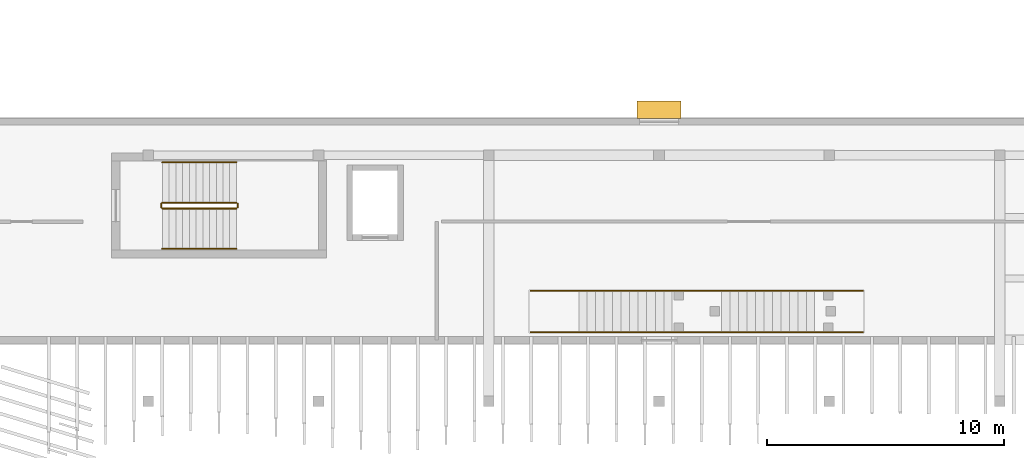
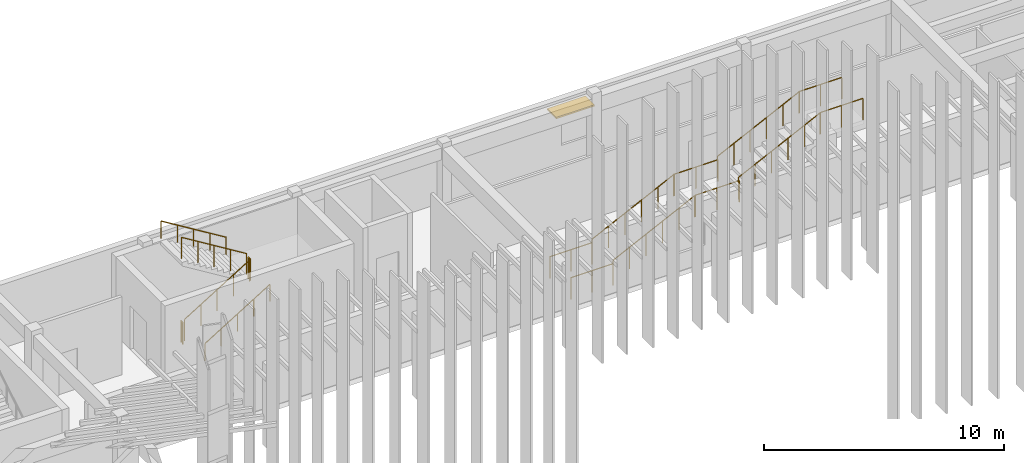
# One storey, part 43 of 47: 16 railings, 1 shading device.
"""IFC4 building model written with IfcOpenShell, lengths in metres."""

from ifc_helpers import new_model, si_unit, direction, frame, origin, origin_2d, place, context, subcontext, project, spatial, rectangle, circle, extrude, material, layer, layer_set, type_object, element, save


model = new_model("IFC4")

# Units and contexts
model_context = context("Model", 3, precision=1e-05, world=origin(), true_north=direction((0.0, 1.0)))
body_context = subcontext(model_context, "Body", "Model", "MODEL_VIEW")
ifc_project = project(units=[si_unit("LENGTHUNIT", "METRE"), si_unit("AREAUNIT", "SQUARE_METRE"), si_unit("VOLUMEUNIT", "CUBIC_METRE"), si_unit("PLANEANGLEUNIT", "RADIAN"), si_unit("MASSUNIT", "GRAM", prefix="KILO")], contexts=[model_context])

# Site, building, storey
site_placement = place(None, origin())
site = spatial("IfcSite", under=ifc_project, at=site_placement, CompositionType="ELEMENT")
building_placement = place(site_placement, origin())
building = spatial("IfcBuilding", under=site, at=building_placement, Name="Brisavento Harbour Community Centre", CompositionType="ELEMENT")
storey_placement = place(building_placement, frame((0.0, 0.0, 8.699951171875)))
storey = spatial("IfcBuildingStorey", under=building, at=storey_placement, Name="L02", CompositionType="ELEMENT", Elevation=8.699951171875)

# Railings
ifc_material_1 = material(Name="Stainless steel 1.4401", Category="steel")
railing_type_1 = type_object("IfcRailingType", Name="RL-ST-GUARD", PredefinedType="GUARDRAIL", material=ifc_material_1)
railing_1_placement = place(storey_placement, frame((58.199951171875, 22.550048828125, 0.175048828125)))
element("IfcRailing", 1, at=railing_1_placement, inside=storey, type_object=railing_type_1, Name="L02 ST-03 stair guard 1", PredefinedType="GUARDRAIL", context=body_context, shape_type="SweptSolid", body=[
    extrude(circle(Radius=0.02392578125, at=origin_2d()), frame((0.0, 0.0, 1.076171875), z_axis=(0.852166034122, 0.0, 0.523271488128), x_axis=(0.0, 1.0, 0.0)), (0.0, 0.0, 1.0), 3.678955078125),
    extrude(circle(Radius=0.02099609375, at=origin_2d()), origin(), (0.0, 0.0, 1.0), 1.052001953125),
    extrude(circle(Radius=0.02099609375, at=origin_2d()), frame((0.78369140625, 0.0, 0.481201171875)), (0.0, 0.0, 1.0), 1.052001953125),
    extrude(circle(Radius=0.02099609375, at=origin_2d()), frame((1.5673828125, 0.0, 0.96240234375)), (0.0, 0.0, 1.0), 1.052001953125),
    extrude(circle(Radius=0.02099609375, at=origin_2d()), frame((2.351318359375, 0.0, 1.44384765625)), (0.0, 0.0, 1.0), 1.052001953125),
    extrude(circle(Radius=0.02099609375, at=origin_2d()), frame((3.135009765625, 0.0, 1.925048828125)), (0.0, 0.0, 1.0), 1.052001953125),
])
railing_2_placement = place(storey_placement, frame((61.385009765625, 22.60009765625, 2.10009765625)))
element("IfcRailing", 2, at=railing_2_placement, inside=storey, type_object=railing_type_1, Name="L02 ST-03 stair guard 2", PredefinedType="GUARDRAIL", context=body_context, shape_type="SweptSolid", body=[
    extrude(circle(Radius=0.02392578125, at=origin_2d()), frame((0.0, 0.0, 1.076171875), z_axis=(0.0, 1.0, 0.0), x_axis=(-1.0, 0.0, 0.0)), (0.0, 0.0, 1.0), 0.14990234375),
    extrude(circle(Radius=0.02099609375, at=origin_2d()), origin(), (0.0, 0.0, 1.0), 1.052001953125),
    extrude(circle(Radius=0.02099609375, at=origin_2d()), frame((0.0, 0.14990234375, 0.0)), (0.0, 0.0, 1.0), 1.052001953125),
])
railing_3_placement = place(storey_placement, frame((61.3349609375, 22.800048828125, 2.275146484375)))
element("IfcRailing", 3, at=railing_3_placement, inside=storey, type_object=railing_type_1, Name="L02 ST-03 stair guard 3", PredefinedType="GUARDRAIL", context=body_context, shape_type="SweptSolid", body=[
    extrude(circle(Radius=0.02392578125, at=origin_2d()), frame((0.0, 0.0, 1.076171875), z_axis=(-0.852195625947, 0.0, 0.523223293744), x_axis=(0.0, -1.0, 0.0)), (0.0, 0.0, 1.0), 3.6787109375),
    extrude(circle(Radius=0.02099609375, at=origin_2d()), origin(), (0.0, 0.0, 1.0), 1.052001953125),
    extrude(circle(Radius=0.02099609375, at=origin_2d()), frame((-0.78369140625, 0.0, 0.481201171875)), (0.0, 0.0, 1.0), 1.052001953125),
    extrude(circle(Radius=0.02099609375, at=origin_2d()), frame((-1.5673828125, 0.0, 0.96240234375)), (0.0, 0.0, 1.0), 1.052001953125),
    extrude(circle(Radius=0.02099609375, at=origin_2d()), frame((-2.351318359375, 0.0, 1.443603515625)), (0.0, 0.0, 1.0), 1.052001953125),
    extrude(circle(Radius=0.02099609375, at=origin_2d()), frame((-3.135009765625, 0.0, 1.9248046875)), (0.0, 0.0, 1.0), 1.052001953125),
])
railing_4_placement = place(storey_placement, frame((58.14990234375, 22.60009765625, 0.0)))
element("IfcRailing", 4, at=railing_4_placement, inside=storey, type_object=railing_type_1, Name="L02 ST-03 stair guard 4", PredefinedType="GUARDRAIL", context=body_context, shape_type="SweptSolid", body=[
    extrude(circle(Radius=0.02392578125, at=origin_2d()), frame((0.0, 0.0, 1.076171875), z_axis=(0.0, 1.0, 0.0), x_axis=(-1.0, 0.0, 0.0)), (0.0, 0.0, 1.0), 0.14990234375),
    extrude(circle(Radius=0.02099609375, at=origin_2d()), origin(), (0.0, 0.0, 1.0), 1.052001953125),
    extrude(circle(Radius=0.02099609375, at=origin_2d()), frame((0.0, 0.14990234375, 0.0)), (0.0, 0.0, 1.0), 1.052001953125),
])
railing_5_placement = place(storey_placement, frame((73.77001953125, 17.320068359375, 0.0)))
element("IfcRailing", 5, at=railing_5_placement, inside=storey, type_object=railing_type_1, Name="L02 MST-08 L L1 stair guard", PredefinedType="GUARDRAIL", context=body_context, shape_type="SweptSolid", body=[
    extrude(circle(Radius=0.02392578125, at=origin_2d()), frame((0.0, 0.0, 1.09619140625), z_axis=(1.0, 0.0, 0.0), x_axis=(0.0, 1.0, 0.0)), (0.0, 0.0, 1.0), 2.030029296875),
    extrude(circle(Radius=0.02099609375, at=origin_2d()), origin(), (0.0, 0.0, 1.0), 1.072021484375),
    extrude(circle(Radius=0.02099609375, at=origin_2d()), frame((1.01513671875, 0.0, 0.0)), (0.0, 0.0, 1.0), 1.072021484375),
    extrude(circle(Radius=0.02099609375, at=origin_2d()), frame((2.030029296875, 0.0, 0.0)), (0.0, 0.0, 1.0), 1.072021484375),
])
railing_6_placement = place(storey_placement, frame((75.800048828125, 17.320068359375, 0.175048828125)))
element("IfcRailing", 6, at=railing_6_placement, inside=storey, type_object=railing_type_1, Name="L02 MST-08 L F1 stair guard", PredefinedType="GUARDRAIL", context=body_context, shape_type="SweptSolid", body=[
    extrude(circle(Radius=0.02392578125, at=origin_2d()), frame((0.0, 0.0, 1.09619140625), z_axis=(0.899361797975, 0.0, 0.437205165045), x_axis=(0.0, 1.0, 0.0)), (0.0, 0.0, 1.0), 4.403076171875),
    extrude(circle(Radius=0.02099609375, at=origin_2d()), origin(), (0.0, 0.0, 1.0), 1.072021484375),
    extrude(circle(Radius=0.02099609375, at=origin_2d()), frame((0.7919921875, 0.0, 0.385009765625)), (0.0, 0.0, 1.0), 1.072021484375),
    extrude(circle(Radius=0.02099609375, at=origin_2d()), frame((1.583984375, 0.0, 0.77001953125)), (0.0, 0.0, 1.0), 1.072021484375),
    extrude(circle(Radius=0.02099609375, at=origin_2d()), frame((2.3759765625, 0.0, 1.155029296875)), (0.0, 0.0, 1.0), 1.072021484375),
    extrude(circle(Radius=0.02099609375, at=origin_2d()), frame((3.16796875, 0.0, 1.5400390625)), (0.0, 0.0, 1.0), 1.072021484375),
    extrude(circle(Radius=0.02099609375, at=origin_2d()), frame((3.9599609375, 0.0, 1.925048828125)), (0.0, 0.0, 1.0), 1.072021484375),
])
railing_7_placement = place(storey_placement, frame((79.719970703125, 17.320068359375, 2.10009765625)))
element("IfcRailing", 7, at=railing_7_placement, inside=storey, type_object=railing_type_1, Name="L02 MST-08 L L2 stair guard", PredefinedType="GUARDRAIL", context=body_context, shape_type="SweptSolid", body=[
    extrude(circle(Radius=0.02392578125, at=origin_2d()), frame((0.0, 0.0, 1.09619140625), z_axis=(1.0, 0.0, 0.0), x_axis=(0.0, 1.0, 0.0)), (0.0, 0.0, 1.0), 2.150146484375),
    extrude(circle(Radius=0.02099609375, at=origin_2d()), origin(), (0.0, 0.0, 1.0), 1.072021484375),
    extrude(circle(Radius=0.02099609375, at=origin_2d()), frame((1.0751953125, 0.0, 0.0)), (0.0, 0.0, 1.0), 1.072021484375),
    extrude(circle(Radius=0.02099609375, at=origin_2d()), frame((2.150146484375, 0.0, 0.0)), (0.0, 0.0, 1.0), 1.072021484375),
])
railing_8_placement = place(storey_placement, frame((81.830078125, 17.320068359375, 2.275146484375)))
element("IfcRailing", 8, at=railing_8_placement, inside=storey, type_object=railing_type_1, Name="L02 MST-08 L F2 stair guard", PredefinedType="GUARDRAIL", context=body_context, shape_type="SweptSolid", body=[
    extrude(circle(Radius=0.02392578125, at=origin_2d()), frame((0.0, 0.0, 1.09619140625), z_axis=(0.899383599736, 0.0, 0.437160314446), x_axis=(0.0, 1.0, 0.0)), (0.0, 0.0, 1.0), 4.403076171875),
    extrude(circle(Radius=0.02099609375, at=origin_2d()), origin(), (0.0, 0.0, 1.0), 1.072021484375),
    extrude(circle(Radius=0.02099609375, at=origin_2d()), frame((0.7919921875, 0.0, 0.385009765625)), (0.0, 0.0, 1.0), 1.072021484375),
    extrude(circle(Radius=0.02099609375, at=origin_2d()), frame((1.583984375, 0.0, 0.77001953125)), (0.0, 0.0, 1.0), 1.072021484375),
    extrude(circle(Radius=0.02099609375, at=origin_2d()), frame((2.3759765625, 0.0, 1.15478515625)), (0.0, 0.0, 1.0), 1.072021484375),
    extrude(circle(Radius=0.02099609375, at=origin_2d()), frame((3.16796875, 0.0, 1.539794921875)), (0.0, 0.0, 1.0), 1.072021484375),
    extrude(circle(Radius=0.02099609375, at=origin_2d()), frame((3.9599609375, 0.0, 1.9248046875)), (0.0, 0.0, 1.0), 1.072021484375),
])
railing_9_placement = place(storey_placement, frame((85.75, 17.320068359375, 4.199951171875)))
element("IfcRailing", 9, at=railing_9_placement, inside=storey, type_object=railing_type_1, Name="L02 MST-08 L L3 stair guard", PredefinedType="GUARDRAIL", context=body_context, shape_type="SweptSolid", body=[
    extrude(circle(Radius=0.02392578125, at=origin_2d()), frame((0.0, 0.0, 1.09619140625), z_axis=(1.0, 0.0, 0.0), x_axis=(0.0, 1.0, 0.0)), (0.0, 0.0, 1.0), 2.070068359375),
    extrude(circle(Radius=0.02099609375, at=origin_2d()), origin(), (0.0, 0.0, 1.0), 1.072021484375),
    extrude(circle(Radius=0.02099609375, at=origin_2d()), frame((1.03515625, 0.0, 0.0)), (0.0, 0.0, 1.0), 1.072021484375),
    extrude(circle(Radius=0.02099609375, at=origin_2d()), frame((2.070068359375, 0.0, 0.0)), (0.0, 0.0, 1.0), 1.072021484375),
])
railing_10_placement = place(storey_placement, frame((73.77001953125, 19.080078125, 0.0)))
element("IfcRailing", 10, at=railing_10_placement, inside=storey, type_object=railing_type_1, Name="L02 MST-08 R L1 stair guard", PredefinedType="GUARDRAIL", context=body_context, shape_type="SweptSolid", body=[
    extrude(circle(Radius=0.02392578125, at=origin_2d()), frame((0.0, 0.0, 1.09619140625), z_axis=(1.0, 0.0, 0.0), x_axis=(0.0, 1.0, 0.0)), (0.0, 0.0, 1.0), 2.030029296875),
    extrude(circle(Radius=0.02099609375, at=origin_2d()), origin(), (0.0, 0.0, 1.0), 1.072021484375),
    extrude(circle(Radius=0.02099609375, at=origin_2d()), frame((1.01513671875, 0.0, 0.0)), (0.0, 0.0, 1.0), 1.072021484375),
    extrude(circle(Radius=0.02099609375, at=origin_2d()), frame((2.030029296875, 0.0, 0.0)), (0.0, 0.0, 1.0), 1.072021484375),
])
railing_11_placement = place(storey_placement, frame((75.800048828125, 19.080078125, 0.175048828125)))
element("IfcRailing", 11, at=railing_11_placement, inside=storey, type_object=railing_type_1, Name="L02 MST-08 R F1 stair guard", PredefinedType="GUARDRAIL", context=body_context, shape_type="SweptSolid", body=[
    extrude(circle(Radius=0.02392578125, at=origin_2d()), frame((0.0, 0.0, 1.09619140625), z_axis=(0.899361797975, 0.0, 0.437205165045), x_axis=(0.0, 1.0, 0.0)), (0.0, 0.0, 1.0), 4.403076171875),
    extrude(circle(Radius=0.02099609375, at=origin_2d()), origin(), (0.0, 0.0, 1.0), 1.072021484375),
    extrude(circle(Radius=0.02099609375, at=origin_2d()), frame((0.7919921875, 0.0, 0.385009765625)), (0.0, 0.0, 1.0), 1.072021484375),
    extrude(circle(Radius=0.02099609375, at=origin_2d()), frame((1.583984375, 0.0, 0.77001953125)), (0.0, 0.0, 1.0), 1.072021484375),
    extrude(circle(Radius=0.02099609375, at=origin_2d()), frame((2.3759765625, 0.0, 1.155029296875)), (0.0, 0.0, 1.0), 1.072021484375),
    extrude(circle(Radius=0.02099609375, at=origin_2d()), frame((3.16796875, 0.0, 1.5400390625)), (0.0, 0.0, 1.0), 1.072021484375),
    extrude(circle(Radius=0.02099609375, at=origin_2d()), frame((3.9599609375, 0.0, 1.925048828125)), (0.0, 0.0, 1.0), 1.072021484375),
])
railing_12_placement = place(storey_placement, frame((79.719970703125, 19.080078125, 2.10009765625)))
element("IfcRailing", 12, at=railing_12_placement, inside=storey, type_object=railing_type_1, Name="L02 MST-08 R L2 stair guard", PredefinedType="GUARDRAIL", context=body_context, shape_type="SweptSolid", body=[
    extrude(circle(Radius=0.02392578125, at=origin_2d()), frame((0.0, 0.0, 1.09619140625), z_axis=(1.0, 0.0, 0.0), x_axis=(0.0, 1.0, 0.0)), (0.0, 0.0, 1.0), 2.150146484375),
    extrude(circle(Radius=0.02099609375, at=origin_2d()), origin(), (0.0, 0.0, 1.0), 1.072021484375),
    extrude(circle(Radius=0.02099609375, at=origin_2d()), frame((1.0751953125, 0.0, 0.0)), (0.0, 0.0, 1.0), 1.072021484375),
    extrude(circle(Radius=0.02099609375, at=origin_2d()), frame((2.150146484375, 0.0, 0.0)), (0.0, 0.0, 1.0), 1.072021484375),
])
railing_13_placement = place(storey_placement, frame((81.830078125, 19.080078125, 2.275146484375)))
element("IfcRailing", 13, at=railing_13_placement, inside=storey, type_object=railing_type_1, Name="L02 MST-08 R F2 stair guard", PredefinedType="GUARDRAIL", context=body_context, shape_type="SweptSolid", body=[
    extrude(circle(Radius=0.02392578125, at=origin_2d()), frame((0.0, 0.0, 1.09619140625), z_axis=(0.899383599736, 0.0, 0.437160314446), x_axis=(0.0, 1.0, 0.0)), (0.0, 0.0, 1.0), 4.403076171875),
    extrude(circle(Radius=0.02099609375, at=origin_2d()), origin(), (0.0, 0.0, 1.0), 1.072021484375),
    extrude(circle(Radius=0.02099609375, at=origin_2d()), frame((0.7919921875, 0.0, 0.385009765625)), (0.0, 0.0, 1.0), 1.072021484375),
    extrude(circle(Radius=0.02099609375, at=origin_2d()), frame((1.583984375, 0.0, 0.77001953125)), (0.0, 0.0, 1.0), 1.072021484375),
    extrude(circle(Radius=0.02099609375, at=origin_2d()), frame((2.3759765625, 0.0, 1.15478515625)), (0.0, 0.0, 1.0), 1.072021484375),
    extrude(circle(Radius=0.02099609375, at=origin_2d()), frame((3.16796875, 0.0, 1.539794921875)), (0.0, 0.0, 1.0), 1.072021484375),
    extrude(circle(Radius=0.02099609375, at=origin_2d()), frame((3.9599609375, 0.0, 1.9248046875)), (0.0, 0.0, 1.0), 1.072021484375),
])
railing_14_placement = place(storey_placement, frame((85.75, 19.080078125, 4.199951171875)))
element("IfcRailing", 14, at=railing_14_placement, inside=storey, type_object=railing_type_1, Name="L02 MST-08 R L3 stair guard", PredefinedType="GUARDRAIL", context=body_context, shape_type="SweptSolid", body=[
    extrude(circle(Radius=0.02392578125, at=origin_2d()), frame((0.0, 0.0, 1.09619140625), z_axis=(1.0, 0.0, 0.0), x_axis=(0.0, 1.0, 0.0)), (0.0, 0.0, 1.0), 2.070068359375),
    extrude(circle(Radius=0.02099609375, at=origin_2d()), origin(), (0.0, 0.0, 1.0), 1.072021484375),
    extrude(circle(Radius=0.02099609375, at=origin_2d()), frame((1.03515625, 0.0, 0.0)), (0.0, 0.0, 1.0), 1.072021484375),
    extrude(circle(Radius=0.02099609375, at=origin_2d()), frame((2.070068359375, 0.0, 0.0)), (0.0, 0.0, 1.0), 1.072021484375),
])
railing_type_2 = type_object("IfcRailingType", Name="RL-ST-HAND", PredefinedType="HANDRAIL", material=ifc_material_1)
railing_15_placement = place(storey_placement, frame((58.199951171875, 20.85009765625, 0.175048828125)))
element("IfcRailing", 15, at=railing_15_placement, inside=storey, type_object=railing_type_2, Name="L02 ST-03 stair handrail 1", PredefinedType="HANDRAIL", context=body_context, shape_type="SweptSolid", body=[
    extrude(circle(Radius=0.02392578125, at=origin_2d()), frame((0.0, 0.0, 0.8759765625), z_axis=(0.852166034122, 0.0, 0.523271488128), x_axis=(0.0, 1.0, 0.0)), (0.0, 0.0, 1.0), 3.678955078125),
    extrude(circle(Radius=0.02099609375, at=origin_2d()), origin(), (0.0, 0.0, 1.0), 0.851806640625),
    extrude(circle(Radius=0.02099609375, at=origin_2d()), frame((0.78369140625, 0.0, 0.481201171875)), (0.0, 0.0, 1.0), 0.851806640625),
    extrude(circle(Radius=0.02099609375, at=origin_2d()), frame((1.5673828125, 0.0, 0.96240234375)), (0.0, 0.0, 1.0), 0.851806640625),
    extrude(circle(Radius=0.02099609375, at=origin_2d()), frame((2.351318359375, 0.0, 1.44384765625)), (0.0, 0.0, 1.0), 0.851806640625),
    extrude(circle(Radius=0.02099609375, at=origin_2d()), frame((3.135009765625, 0.0, 1.925048828125)), (0.0, 0.0, 1.0), 0.851806640625),
])
railing_16_placement = place(storey_placement, frame((61.3349609375, 24.5, 2.275146484375)))
element("IfcRailing", 16, at=railing_16_placement, inside=storey, type_object=railing_type_2, Name="L02 ST-03 stair handrail 2", PredefinedType="HANDRAIL", context=body_context, shape_type="SweptSolid", body=[
    extrude(circle(Radius=0.02392578125, at=origin_2d()), frame((0.0, 0.0, 0.8759765625), z_axis=(-0.852195625947, 0.0, 0.523223293744), x_axis=(0.0, -1.0, 0.0)), (0.0, 0.0, 1.0), 3.6787109375),
    extrude(circle(Radius=0.02099609375, at=origin_2d()), origin(), (0.0, 0.0, 1.0), 0.851806640625),
    extrude(circle(Radius=0.02099609375, at=origin_2d()), frame((-0.78369140625, 0.0, 0.481201171875)), (0.0, 0.0, 1.0), 0.851806640625),
    extrude(circle(Radius=0.02099609375, at=origin_2d()), frame((-1.5673828125, 0.0, 0.96240234375)), (0.0, 0.0, 1.0), 0.851806640625),
    extrude(circle(Radius=0.02099609375, at=origin_2d()), frame((-2.351318359375, 0.0, 1.443603515625)), (0.0, 0.0, 1.0), 0.851806640625),
    extrude(circle(Radius=0.02099609375, at=origin_2d()), frame((-3.135009765625, 0.0, 1.9248046875)), (0.0, 0.0, 1.0), 0.851806640625),
])

# Shading device
ifc_material_2 = material(Name="Off-white precast concrete C40/50", Category="concrete")
ifc_layer = layer(ifc_material_2, 0.080078125, Name="Off-white precast concrete C40/50")
ifc_layer_set = layer_set([ifc_layer], Name="Off-white precast concrete C40/50")
shading_device_type = type_object("IfcShadingDeviceType", Name="SHD-BLADE", PredefinedType="USERDEFINED", material=ifc_layer_set)
shading_device_placement = place(storey_placement, frame((79.199951171875, 26.72998046875, 2.110107421875), z_axis=(0.0, 0.0, 1.0), x_axis=(1.0, 0.0, 0.0)))
element("IfcShadingDevice", 17, at=shading_device_placement, inside=storey, type_object=shading_device_type, Name="L02 precast storm sunshade blade 31", ObjectType="SUNSHADE BLADE", PredefinedType="USERDEFINED", context=body_context, shape_type="SweptSolid", body=[
    extrude(rectangle(XDim=1.85009765625, YDim=0.75, at=origin_2d()), origin(), (0.0, 0.0, 1.0), 0.080078125),
])

save(model, "model.ifc")
